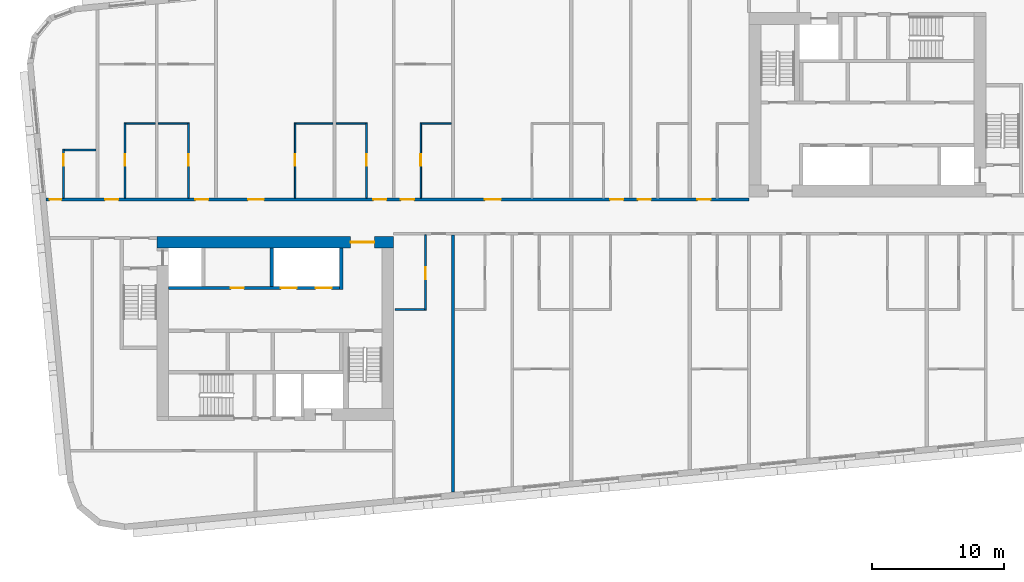
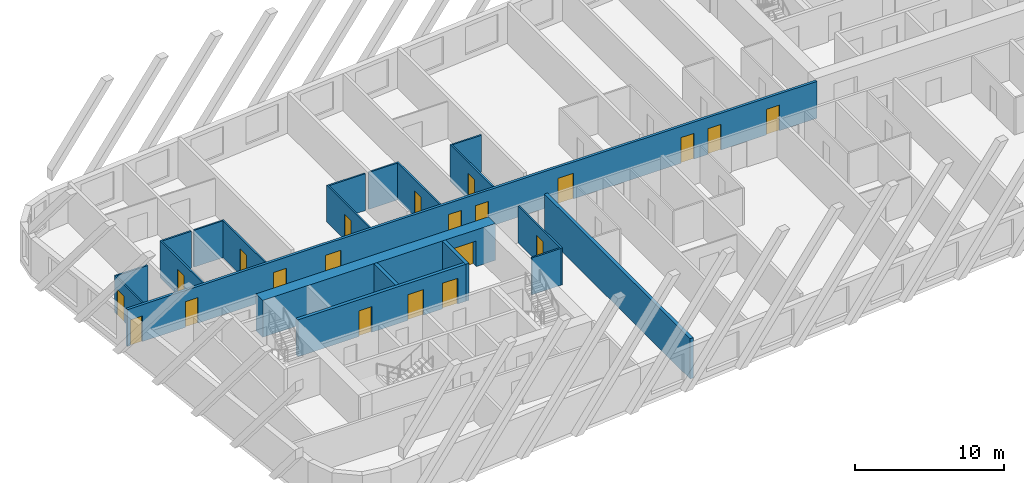
# One storey, part 3 of 13: 21 doors, 20 walls, 21 openings.
"""IFC4 building model written with IfcOpenShell, lengths in metres."""

import ifcopenshell
import ifcopenshell.guid

model = None  # the IFC model being written
_history = None  # IfcOwnerHistory: only IFC2X3 demands one
_inside = {}  # id of a spatial element -> (the spatial element, [elements in it])
_under = {}  # id of a project, library or spatial element -> (it, [spatial elements below it])
_declared = {}  # id of a project -> (the project, [libraries it declares])
_typed = {}  # id of a type object -> (the type object, [elements of that type])
_made_of = {}  # id of a material, layer set ... -> (it, [elements and type objects made of it])


def new_model(schema):
    """Start an empty IFC model of exactly this schema.

    Asked for "IFC4X3", IfcOpenShell would pick the latest addendum, in which some entities
    have other attributes; the version numbers below select the first issue.
    IFC2X3 requires an IfcOwnerHistory on every rooted entity: one is made here for all.
    """
    global model, _history
    if schema == "IFC4X3":
        model = ifcopenshell.file(schema_version=(4, 3, 0, 0))
    else:
        model = ifcopenshell.file(schema=schema)
    _inside.clear()
    _under.clear()
    _declared.clear()
    _typed.clear()
    _made_of.clear()
    _history = None
    if model.schema == "IFC2X3":
        org = make("IfcOrganization", Name="unknown")
        user = make(
            "IfcPersonAndOrganization",
            ThePerson=make("IfcPerson", FamilyName="unknown"),
            TheOrganization=org,
        )
        app = make(
            "IfcApplication",
            ApplicationDeveloper=org,
            Version="unknown",
            ApplicationFullName="unknown",
            ApplicationIdentifier="unknown",
        )
        _history = make(
            "IfcOwnerHistory",
            OwningUser=user,
            OwningApplication=app,
            ChangeAction="ADDED",
            CreationDate=0,
        )
    return model


def make(cls, **values):
    """One entity of the class cls with the attributes given. An attribute that is None is left unset."""
    return model.create_entity(
        cls, **{name: value for name, value in values.items() if value is not None}
    )


def rooted(cls, **values):
    """An entity with a GlobalId (a new one), such as an element, a storey or a relation."""
    return make(cls, GlobalId=ifcopenshell.guid.new(), OwnerHistory=_history, **values)


def si_unit(unit_type, name, prefix=None):
    """IfcSIUnit, for example si_unit("LENGTHUNIT", "METRE", prefix="MILLI")."""
    return make("IfcSIUnit", UnitType=unit_type, Prefix=prefix, Name=name)


def assignment(units):
    """IfcUnitAssignment: the units of a project."""
    return None if units is None else make("IfcUnitAssignment", Units=units)


def point(xyz):
    """IfcCartesianPoint."""
    return None if xyz is None else make("IfcCartesianPoint", Coordinates=xyz)


def direction(xyz):
    """IfcDirection."""
    return None if xyz is None else make("IfcDirection", DirectionRatios=xyz)


def frame(location, z_axis=None, x_axis=None):
    """IfcAxis2Placement3D, a coordinate frame: its origin and axes. An axis left out is left unset."""
    return make(
        "IfcAxis2Placement3D",
        Location=point(location),
        Axis=direction(z_axis),
        RefDirection=direction(x_axis),
    )


def frame_2d(location, x_axis=None):
    """IfcAxis2Placement2D, a coordinate frame in the plane: its origin and x axis."""
    return make(
        "IfcAxis2Placement2D", Location=point(location), RefDirection=direction(x_axis)
    )


def origin():
    """The frame at (0, 0, 0) with its axes left unset."""
    return frame((0.0, 0.0, 0.0))


def place(relative_to, where):
    """IfcLocalPlacement: puts the frame where relative to a parent placement (None: the world)."""
    return make(
        "IfcLocalPlacement", PlacementRelTo=relative_to, RelativePlacement=where
    )


def context(
    kind, dimensions, precision=None, world=None, true_north=None, identifier=None
):
    """IfcGeometricRepresentationContext, for example the 3D "Model" context."""
    return make(
        "IfcGeometricRepresentationContext",
        ContextIdentifier=identifier,
        ContextType=kind,
        CoordinateSpaceDimension=dimensions,
        Precision=precision,
        WorldCoordinateSystem=world,
        TrueNorth=true_north,
    )


def subcontext(parent, identifier, kind, view, scale=None):
    """IfcGeometricRepresentationSubContext, for example "Body" below "Model"."""
    return make(
        "IfcGeometricRepresentationSubContext",
        ContextIdentifier=identifier,
        ContextType=kind,
        ParentContext=parent,
        TargetScale=scale,
        TargetView=view,
    )


def project(units=None, contexts=None):
    """IfcProject with its units and contexts."""
    return rooted(
        "IfcProject",
        Name="project",
        RepresentationContexts=contexts,
        UnitsInContext=assignment(units),
    )


def spatial(cls, under=None, at=None, **own):
    """A site, building, storey or space (cls), placed at a placement, below another one or the project."""
    s = rooted(cls, ObjectPlacement=at, **own)
    if under is not None:
        _under.setdefault(under.id(), (under, []))[1].append(s)
    return s


def profile(cls, at=None, kind="AREA", **sizes):
    """A parametric profile (cls). Its sizes go by their IFC names, for example OverallWidth=200.0."""
    return make(cls, ProfileType=kind, Position=at, **sizes)


def rectangle(**sizes):
    """IfcRectangleProfileDef."""
    return profile("IfcRectangleProfileDef", **sizes)


def extrude(swept, where, along, depth):
    """IfcExtrudedAreaSolid: the profile swept, set in the frame where, extruded along a direction by depth."""
    return make(
        "IfcExtrudedAreaSolid",
        SweptArea=swept,
        Position=where,
        ExtrudedDirection=direction(along),
        Depth=depth,
    )


def shape(context_of_items, identifier, shape_type, items):
    """IfcShapeRepresentation: the items that make up one representation, for example the "Body"."""
    return make(
        "IfcShapeRepresentation",
        ContextOfItems=context_of_items,
        RepresentationIdentifier=identifier,
        RepresentationType=shape_type,
        Items=items,
    )


def material(Name=None, Category=None):
    """IfcMaterial."""
    return make("IfcMaterial", Name=Name, Category=Category)


def layer(
    of_material, thickness, ventilated=None, Name=None, Category=None, Priority=None
):
    """IfcMaterialLayer: one layer of a wall or slab, of a material (None: an air gap)."""
    return make(
        "IfcMaterialLayer",
        Material=of_material,
        LayerThickness=thickness,
        IsVentilated=ventilated,
        Name=Name,
        Category=Category,
        Priority=Priority,
    )


def layer_set(layers, Name=None):
    """IfcMaterialLayerSet."""
    return make("IfcMaterialLayerSet", MaterialLayers=layers, LayerSetName=Name)


def made_of(thing, what):
    """Note that an element or type object is made of a material, layer set ...; save() writes the relation."""
    if what is not None:
        _made_of.setdefault(what.id(), (what, []))[1].append(thing)
    return thing


def type_object(cls, material=None, **own):
    """A type object (cls), such as IfcWallType, which elements share."""
    return made_of(rooted(cls, **own), material)


def element(
    cls,
    number,
    at=None,
    inside=None,
    cuts=None,
    type_object=None,
    material=None,
    context=None,
    identifier="Body",
    shape_type=None,
    held_by="IfcProductDefinitionShape",
    body=None,
    shapes=None,
    **own,
):
    """One element of the class cls, such as IfcWall. Its Tag is "e" and its number.

    at: its placement. inside: the storey or other place that contains it. cuts: it is an
    opening in that element (IfcRelVoidsElement). A single representation is given by context,
    identifier, shape_type and body (its items); several are given by shapes. held_by: the class
    of the entity that holds the representations. save() writes the other relations.
    """
    e = rooted(cls, Tag="e%d" % number, ObjectPlacement=at, **own)
    if body is not None:
        shapes = [shape(context, identifier, shape_type, body)]
    if shapes is not None:
        e.Representation = make(held_by, Representations=shapes)
    if inside is not None:
        _inside.setdefault(inside.id(), (inside, []))[1].append(e)
    if cuts is not None:
        rooted(
            "IfcRelVoidsElement", RelatingBuildingElement=cuts, RelatedOpeningElement=e
        )
    if type_object is not None:
        _typed.setdefault(type_object.id(), (type_object, []))[1].append(e)
    return made_of(e, material)


def fill(opening, filler):
    """IfcRelFillsElement: the door or window that sits in an opening."""
    return rooted(
        "IfcRelFillsElement",
        RelatingOpeningElement=opening,
        RelatedBuildingElement=filler,
    )


def aggregate(whole, parts):
    """IfcRelAggregates: a whole, such as a stair, and the parts it consists of."""
    return rooted("IfcRelAggregates", RelatingObject=whole, RelatedObjects=parts)


def save(model, path):
    """Write the relations noted so far, then the file.

    IfcRelAggregates (storeys below a building ...), IfcRelContainedInSpatialStructure (elements
    in a storey), IfcRelDefinesByType, IfcRelAssociatesMaterial and IfcRelDeclares: one each for
    every whole, place, type object, material and project.
    """
    for whole, parts in _under.values():
        aggregate(whole, parts)
    for where, things in _inside.values():
        rooted(
            "IfcRelContainedInSpatialStructure",
            RelatedElements=things,
            RelatingStructure=where,
        )
    for kind, things in _typed.values():
        rooted("IfcRelDefinesByType", RelatedObjects=things, RelatingType=kind)
    for what, things in _made_of.values():
        rooted("IfcRelAssociatesMaterial", RelatedObjects=things, RelatingMaterial=what)
    for by, libraries in _declared.values():
        rooted("IfcRelDeclares", RelatingContext=by, RelatedDefinitions=libraries)
    model.write(path)


model = new_model("IFC4")

# Units and contexts
model_context = context("Model", 3, precision=1e-05, world=origin(), true_north=direction((0.0, 1.0)))
body_context = subcontext(model_context, "Body", "Model", "MODEL_VIEW")
ifc_project = project(units=[si_unit("LENGTHUNIT", "METRE"), si_unit("AREAUNIT", "SQUARE_METRE"), si_unit("VOLUMEUNIT", "CUBIC_METRE"), si_unit("PLANEANGLEUNIT", "RADIAN"), si_unit("MASSUNIT", "GRAM", prefix="KILO")], contexts=[model_context])

# Site, building, storey
site_placement = place(None, origin())
site = spatial("IfcSite", under=ifc_project, at=site_placement, CompositionType="ELEMENT")
building_placement = place(site_placement, origin())
building = spatial("IfcBuilding", under=site, at=building_placement, Name="Kajstack Hotel Tower", CompositionType="ELEMENT")
storey_placement = place(building_placement, frame((0.0, 0.0, 298.199951171875)))
storey = spatial("IfcBuildingStorey", under=building, at=storey_placement, Name="L75", CompositionType="ELEMENT", Elevation=298.199951171875)

# Wall, opening, door
ifc_material_1 = material(Name="Concrete C60/75", Category="concrete")
ifc_layer_1 = layer(ifc_material_1, 0.89990234375)
ifc_layer_set_1 = layer_set([ifc_layer_1], Name="Core wall 900")
wall_type_1 = type_object("IfcWallType", Name="Core wall 900", PredefinedType="SHEAR", material=ifc_layer_set_1)
wall_1_placement = place(storey_placement, frame((-31.5, -1.949951171875, 0.0), z_axis=(0.0, 0.0, 1.0), x_axis=(1.0, 0.0, 0.0)))
wall_1 = element("IfcWall", 1, at=wall_1_placement, inside=storey, type_object=wall_type_1, Name="Core wall W RN", PredefinedType="SHEAR", context=body_context, shape_type="SweptSolid", body=[
    extrude(rectangle(XDim=18.0, YDim=0.89990234375, at=frame_2d((9.0, 0.0))), origin(), (0.0, 0.0, 1.0), 3.02001953125),
])
opening_1_placement = place(wall_1_placement, frame((14.72509765625, 0.0, 0.0)))
opening_1 = element("IfcOpeningElement", 2, at=opening_1_placement, cuts=wall_1, Name="Opening 75W05", PredefinedType="OPENING", context=body_context, shape_type="SweptSolid", body=[
    extrude(rectangle(XDim=1.800048828125, YDim=2.10009765625, at=frame_2d((0.89990234375, 1.050048828125))), frame((0.0, 0.4599609375, 0.0), z_axis=(0.0, -1.0, 0.0), x_axis=(1.0, 0.0, 0.0)), (0.0, 0.0, 1.0), 0.919921875),
])
ifc_material_2 = material(Name="Glazed steel frame, fire-rated glass", Category="steel")
door_type_1 = type_object("IfcDoorType", Name="Lobby double door 1800", OperationType="DOUBLE_DOOR_DOUBLE_SWING", PredefinedType="DOOR", material=ifc_material_2)
door_1_placement = place(opening_1_placement, origin())
door_1 = element("IfcDoor", 3, at=door_1_placement, inside=storey, type_object=door_type_1, Name="Door 75W05", OperationType="DOUBLE_DOOR_DOUBLE_SWING", OverallHeight=2.10009765625, OverallWidth=1.800048828125, PredefinedType="DOOR", context=body_context, shape_type="SweptSolid", body=[
    extrude(rectangle(XDim=1.800048828125, YDim=2.10009765625, at=frame_2d((0.89990234375, 1.050048828125))), frame((0.0, 0.02490234375, 0.0), z_axis=(0.0, -1.0, 0.0), x_axis=(1.0, 0.0, 0.0)), (0.0, 0.0, 1.0), 0.050048828125),
])
fill(opening_1, door_1)

# Wall, openings, doors
ifc_material_3 = material(Name="Gypsum board on steel studs, mineral wool", Category="steel")
ifc_layer_2 = layer(ifc_material_3, 0.199951171875)
ifc_layer_set_2 = layer_set([ifc_layer_2], Name="Corridor wall 200")
wall_type_2 = type_object("IfcWallType", Name="Corridor wall 200", PredefinedType="PARTITIONING", material=ifc_layer_set_2)
wall_2_placement = place(storey_placement, frame((-39.908935546875, 1.300048828125, 0.0), z_axis=(0.0, 0.0, 1.0), x_axis=(1.0, 0.0, 0.0)))
wall_2 = element("IfcWall", 4, at=wall_2_placement, inside=storey, type_object=wall_type_2, Name="G-wall-L75-003", PredefinedType="PARTITIONING", context=body_context, shape_type="SweptSolid", body=[
    extrude(rectangle(XDim=53.408935546875, YDim=0.199951171875, at=frame_2d((26.70458984375, 0.0))), origin(), (0.0, 0.0, 1.0), 3.02001953125),
])
opening_2_placement = place(wall_2_placement, frame((0.2548828125, 0.0, 0.0)))
opening_2 = element("IfcOpeningElement", 5, at=opening_2_placement, cuts=wall_2, Name="Opening 75001", PredefinedType="OPENING", context=body_context, shape_type="SweptSolid", body=[
    extrude(rectangle(XDim=0.89990234375, YDim=2.10009765625, at=frame_2d((0.449951171875, 1.050048828125))), frame((0.0, 0.10986328125, 0.0), z_axis=(0.0, -1.0, 0.0), x_axis=(1.0, 0.0, 0.0)), (0.0, 0.0, 1.0), 0.219970703125),
])
opening_3_placement = place(wall_2_placement, frame((4.48388671875, 0.0, 0.0)))
opening_3 = element("IfcOpeningElement", 6, at=opening_3_placement, cuts=wall_2, Name="Opening 75003", PredefinedType="OPENING", context=body_context, shape_type="SweptSolid", body=[
    extrude(rectangle(XDim=1.0, YDim=2.10009765625, at=frame_2d((0.5, 1.050048828125))), frame((0.0, 0.10986328125, 0.0), z_axis=(0.0, -1.0, 0.0), x_axis=(1.0, 0.0, 0.0)), (0.0, 0.0, 1.0), 0.219970703125),
])
opening_4_placement = place(wall_2_placement, frame((11.333984375, 0.0, 0.0)))
opening_4 = element("IfcOpeningElement", 7, at=opening_4_placement, cuts=wall_2, Name="Opening 75006", PredefinedType="OPENING", context=body_context, shape_type="SweptSolid", body=[
    extrude(rectangle(XDim=1.0, YDim=2.10009765625, at=frame_2d((0.5, 1.050048828125))), frame((0.0, 0.10986328125, 0.0), z_axis=(0.0, -1.0, 0.0), x_axis=(1.0, 0.0, 0.0)), (0.0, 0.0, 1.0), 0.219970703125),
])
opening_5_placement = place(wall_2_placement, frame((15.346923828125, 0.0, 0.0)))
opening_5 = element("IfcOpeningElement", 8, at=opening_5_placement, cuts=wall_2, Name="Opening 75009", PredefinedType="OPENING", context=body_context, shape_type="SweptSolid", body=[
    extrude(rectangle(XDim=1.199951171875, YDim=2.10009765625, at=frame_2d((0.60009765625, 1.050048828125))), frame((0.0, 0.10986328125, 0.0), z_axis=(0.0, -1.0, 0.0), x_axis=(1.0, 0.0, 0.0)), (0.0, 0.0, 1.0), 0.219970703125),
])
opening_6_placement = place(wall_2_placement, frame((24.85888671875, 0.0, 0.0)))
opening_6 = element("IfcOpeningElement", 9, at=opening_6_placement, cuts=wall_2, Name="Opening 75011", PredefinedType="OPENING", context=body_context, shape_type="SweptSolid", body=[
    extrude(rectangle(XDim=1.0, YDim=2.10009765625, at=frame_2d((0.5, 1.050048828125))), frame((0.0, 0.10986328125, 0.0), z_axis=(0.0, -1.0, 0.0), x_axis=(1.0, 0.0, 0.0)), (0.0, 0.0, 1.0), 0.219970703125),
])
opening_7_placement = place(wall_2_placement, frame((26.958984375, 0.0, 0.0)))
opening_7 = element("IfcOpeningElement", 10, at=opening_7_placement, cuts=wall_2, Name="Opening 75013", PredefinedType="OPENING", context=body_context, shape_type="SweptSolid", body=[
    extrude(rectangle(XDim=1.0, YDim=2.10009765625, at=frame_2d((0.5, 1.050048828125))), frame((0.0, 0.10986328125, 0.0), z_axis=(0.0, -1.0, 0.0), x_axis=(1.0, 0.0, 0.0)), (0.0, 0.0, 1.0), 0.219970703125),
])
opening_8_placement = place(wall_2_placement, frame((33.345947265625, 0.0, 0.0)))
opening_8 = element("IfcOpeningElement", 11, at=opening_8_placement, cuts=wall_2, Name="Opening 75016", PredefinedType="OPENING", context=body_context, shape_type="SweptSolid", body=[
    extrude(rectangle(XDim=1.199951171875, YDim=2.10009765625, at=frame_2d((0.60009765625, 1.050048828125))), frame((0.0, 0.10986328125, 0.0), z_axis=(0.0, -1.0, 0.0), x_axis=(1.0, 0.0, 0.0)), (0.0, 0.0, 1.0), 0.219970703125),
])
opening_9_placement = place(wall_2_placement, frame((42.85888671875, 0.0, 0.0)))
opening_9 = element("IfcOpeningElement", 12, at=opening_9_placement, cuts=wall_2, Name="Opening 75018", PredefinedType="OPENING", context=body_context, shape_type="SweptSolid", body=[
    extrude(rectangle(XDim=1.0, YDim=2.10009765625, at=frame_2d((0.5, 1.050048828125))), frame((0.0, 0.10986328125, 0.0), z_axis=(0.0, -1.0, 0.0), x_axis=(1.0, 0.0, 0.0)), (0.0, 0.0, 1.0), 0.219970703125),
])
opening_10_placement = place(wall_2_placement, frame((44.958984375, 0.0, 0.0)))
opening_10 = element("IfcOpeningElement", 13, at=opening_10_placement, cuts=wall_2, Name="Opening 75020", PredefinedType="OPENING", context=body_context, shape_type="SweptSolid", body=[
    extrude(rectangle(XDim=1.0, YDim=2.10009765625, at=frame_2d((0.5, 1.050048828125))), frame((0.0, 0.10986328125, 0.0), z_axis=(0.0, -1.0, 0.0), x_axis=(1.0, 0.0, 0.0)), (0.0, 0.0, 1.0), 0.219970703125),
])
opening_11_placement = place(wall_2_placement, frame((49.48388671875, 0.0, 0.0)))
opening_11 = element("IfcOpeningElement", 14, at=opening_11_placement, cuts=wall_2, Name="Opening 75022", PredefinedType="OPENING", context=body_context, shape_type="SweptSolid", body=[
    extrude(rectangle(XDim=1.0, YDim=2.10009765625, at=frame_2d((0.5, 1.050048828125))), frame((0.0, 0.10986328125, 0.0), z_axis=(0.0, -1.0, 0.0), x_axis=(1.0, 0.0, 0.0)), (0.0, 0.0, 1.0), 0.219970703125),
])
ifc_material_4 = material(Name="Oak veneer on timber core, fire-rated leaf", Category="wood")
door_type_2 = type_object("IfcDoorType", Name="Flat entrance door 1000", OperationType="SINGLE_SWING_LEFT", PredefinedType="DOOR", material=ifc_material_4)
door_2_placement = place(opening_3_placement, origin())
door_2 = element("IfcDoor", 15, at=door_2_placement, inside=storey, type_object=door_type_2, Name="G-door-L75-03", OperationType="SINGLE_SWING_LEFT", OverallHeight=2.10009765625, OverallWidth=1.0, PredefinedType="DOOR", context=body_context, shape_type="SweptSolid", body=[
    extrude(rectangle(XDim=1.0, YDim=2.10009765625, at=frame_2d((0.5, 1.050048828125))), frame((0.0, 0.02490234375, 0.0), z_axis=(0.0, -1.0, 0.0), x_axis=(1.0, 0.0, 0.0)), (0.0, 0.0, 1.0), 0.050048828125),
])
fill(opening_3, door_2)
door_3_placement = place(opening_4_placement, origin())
door_3 = element("IfcDoor", 16, at=door_3_placement, inside=storey, type_object=door_type_2, Name="G-door-L75-06", OperationType="SINGLE_SWING_RIGHT", OverallHeight=2.10009765625, OverallWidth=1.0, PredefinedType="DOOR", context=body_context, shape_type="SweptSolid", body=[
    extrude(rectangle(XDim=1.0, YDim=2.10009765625, at=frame_2d((0.5, 1.050048828125))), frame((0.0, 0.02490234375, 0.0), z_axis=(0.0, -1.0, 0.0), x_axis=(1.0, 0.0, 0.0)), (0.0, 0.0, 1.0), 0.050048828125),
])
fill(opening_4, door_3)
door_4_placement = place(opening_6_placement, origin())
door_4 = element("IfcDoor", 17, at=door_4_placement, inside=storey, type_object=door_type_2, Name="G-door-L75-11", OperationType="SINGLE_SWING_RIGHT", OverallHeight=2.10009765625, OverallWidth=1.0, PredefinedType="DOOR", context=body_context, shape_type="SweptSolid", body=[
    extrude(rectangle(XDim=1.0, YDim=2.10009765625, at=frame_2d((0.5, 1.050048828125))), frame((0.0, 0.02490234375, 0.0), z_axis=(0.0, -1.0, 0.0), x_axis=(1.0, 0.0, 0.0)), (0.0, 0.0, 1.0), 0.050048828125),
])
fill(opening_6, door_4)
door_5_placement = place(opening_7_placement, origin())
door_5 = element("IfcDoor", 18, at=door_5_placement, inside=storey, type_object=door_type_2, Name="G-door-L75-13", OperationType="SINGLE_SWING_RIGHT", OverallHeight=2.10009765625, OverallWidth=1.0, PredefinedType="DOOR", context=body_context, shape_type="SweptSolid", body=[
    extrude(rectangle(XDim=1.0, YDim=2.10009765625, at=frame_2d((0.5, 1.050048828125))), frame((0.0, 0.02490234375, 0.0), z_axis=(0.0, -1.0, 0.0), x_axis=(1.0, 0.0, 0.0)), (0.0, 0.0, 1.0), 0.050048828125),
])
fill(opening_7, door_5)
door_6_placement = place(opening_9_placement, origin())
door_6 = element("IfcDoor", 19, at=door_6_placement, inside=storey, type_object=door_type_2, Name="G-door-L75-18", OperationType="SINGLE_SWING_RIGHT", OverallHeight=2.10009765625, OverallWidth=1.0, PredefinedType="DOOR", context=body_context, shape_type="SweptSolid", body=[
    extrude(rectangle(XDim=1.0, YDim=2.10009765625, at=frame_2d((0.5, 1.050048828125))), frame((0.0, 0.02490234375, 0.0), z_axis=(0.0, -1.0, 0.0), x_axis=(1.0, 0.0, 0.0)), (0.0, 0.0, 1.0), 0.050048828125),
])
fill(opening_9, door_6)
door_7_placement = place(opening_10_placement, origin())
door_7 = element("IfcDoor", 20, at=door_7_placement, inside=storey, type_object=door_type_2, Name="G-door-L75-20", OperationType="SINGLE_SWING_LEFT", OverallHeight=2.10009765625, OverallWidth=1.0, PredefinedType="DOOR", context=body_context, shape_type="SweptSolid", body=[
    extrude(rectangle(XDim=1.0, YDim=2.10009765625, at=frame_2d((0.5, 1.050048828125))), frame((0.0, 0.02490234375, 0.0), z_axis=(0.0, -1.0, 0.0), x_axis=(1.0, 0.0, 0.0)), (0.0, 0.0, 1.0), 0.050048828125),
])
fill(opening_10, door_7)
door_8_placement = place(opening_11_placement, origin())
door_8 = element("IfcDoor", 21, at=door_8_placement, inside=storey, type_object=door_type_2, Name="G-door-L75-22", OperationType="SINGLE_SWING_LEFT", OverallHeight=2.10009765625, OverallWidth=1.0, PredefinedType="DOOR", context=body_context, shape_type="SweptSolid", body=[
    extrude(rectangle(XDim=1.0, YDim=2.10009765625, at=frame_2d((0.5, 1.050048828125))), frame((0.0, 0.02490234375, 0.0), z_axis=(0.0, -1.0, 0.0), x_axis=(1.0, 0.0, 0.0)), (0.0, 0.0, 1.0), 0.050048828125),
])
fill(opening_11, door_8)
door_type_3 = type_object("IfcDoorType", Name="Flat entrance door 1200", OperationType="SINGLE_SWING_LEFT", PredefinedType="DOOR", material=ifc_material_4)
door_9_placement = place(opening_5_placement, origin())
door_9 = element("IfcDoor", 22, at=door_9_placement, inside=storey, type_object=door_type_3, Name="G-door-L75-09", OperationType="SINGLE_SWING_RIGHT", OverallHeight=2.10009765625, OverallWidth=1.199951171875, PredefinedType="DOOR", context=body_context, shape_type="SweptSolid", body=[
    extrude(rectangle(XDim=1.199951171875, YDim=2.10009765625, at=frame_2d((0.60009765625, 1.050048828125))), frame((0.0, 0.02490234375, 0.0), z_axis=(0.0, -1.0, 0.0), x_axis=(1.0, 0.0, 0.0)), (0.0, 0.0, 1.0), 0.050048828125),
])
fill(opening_5, door_9)
door_10_placement = place(opening_8_placement, origin())
door_10 = element("IfcDoor", 23, at=door_10_placement, inside=storey, type_object=door_type_3, Name="G-door-L75-16", OperationType="SINGLE_SWING_LEFT", OverallHeight=2.10009765625, OverallWidth=1.199951171875, PredefinedType="DOOR", context=body_context, shape_type="SweptSolid", body=[
    extrude(rectangle(XDim=1.199951171875, YDim=2.10009765625, at=frame_2d((0.60009765625, 1.050048828125))), frame((0.0, 0.02490234375, 0.0), z_axis=(0.0, -1.0, 0.0), x_axis=(1.0, 0.0, 0.0)), (0.0, 0.0, 1.0), 0.050048828125),
])
fill(opening_8, door_10)
ifc_material_5 = material(Name="Painted timber door leaf", Category="wood")
door_type_4 = type_object("IfcDoorType", Name="Room door 900", OperationType="SINGLE_SWING_LEFT", PredefinedType="DOOR", material=ifc_material_5)
door_11_placement = place(opening_2_placement, origin())
door_11 = element("IfcDoor", 24, at=door_11_placement, inside=storey, type_object=door_type_4, Name="G-door-L75-01", OperationType="SINGLE_SWING_RIGHT", OverallHeight=2.10009765625, OverallWidth=0.89990234375, PredefinedType="DOOR", context=body_context, shape_type="SweptSolid", body=[
    extrude(rectangle(XDim=0.89990234375, YDim=2.10009765625, at=frame_2d((0.449951171875, 1.050048828125))), frame((0.0, 0.02490234375, 0.0), z_axis=(0.0, -1.0, 0.0), x_axis=(1.0, 0.0, 0.0)), (0.0, 0.0, 1.0), 0.050048828125),
])
fill(opening_2, door_11)

# Wall, opening, door
ifc_material_6 = material(Name="Gypsum board and tiled backer on steel studs", Category="steel")
ifc_layer_3 = layer(ifc_material_6, 0.125)
ifc_layer_set_3 = layer_set([ifc_layer_3], Name="En-suite wall 125")
wall_type_3 = type_object("IfcWallType", Name="En-suite wall 125", PredefinedType="PARTITIONING", material=ifc_layer_set_3)
wall_3_placement = place(storey_placement, frame((-38.5869140625, 1.39990234375, 0.0), z_axis=(0.0, 0.0, 1.0), x_axis=(0.0, 1.0, 0.0)))
wall_3 = element("IfcWall", 25, at=wall_3_placement, inside=storey, type_object=wall_type_3, Name="G-wall-L75-004", PredefinedType="PARTITIONING", context=body_context, shape_type="SweptSolid", body=[
    extrude(rectangle(XDim=3.72509765625, YDim=0.125, at=frame_2d((1.862548828125, 0.0))), origin(), (0.0, 0.0, 1.0), 3.02001953125),
])
opening_12_placement = place(wall_3_placement, frame((2.449951171875, 0.0, 0.0)))
opening_12 = element("IfcOpeningElement", 26, at=opening_12_placement, cuts=wall_3, Name="Opening 75002", PredefinedType="OPENING", context=body_context, shape_type="SweptSolid", body=[
    extrude(rectangle(XDim=0.89990234375, YDim=2.10009765625, at=frame_2d((0.449951171875, 1.050048828125))), frame((0.0, 0.072509765625, 0.0), z_axis=(0.0, -1.0, 0.0), x_axis=(1.0, 0.0, 0.0)), (0.0, 0.0, 1.0), 0.14501953125),
])
door_12_placement = place(opening_12_placement, origin())
door_12 = element("IfcDoor", 27, at=door_12_placement, inside=storey, type_object=door_type_4, Name="G-door-L75-02", OperationType="SINGLE_SWING_RIGHT", OverallHeight=2.10009765625, OverallWidth=0.89990234375, PredefinedType="DOOR", context=body_context, shape_type="SweptSolid", body=[
    extrude(rectangle(XDim=0.89990234375, YDim=2.10009765625, at=frame_2d((0.449951171875, 1.050048828125))), frame((0.0, 0.02490234375, 0.0), z_axis=(0.0, -1.0, 0.0), x_axis=(1.0, 0.0, 0.0)), (0.0, 0.0, 1.0), 0.050048828125),
])
fill(opening_12, door_12)

# Wall
wall_4_placement = place(storey_placement, frame((-38.52490234375, 5.06201171875, 0.0), z_axis=(0.0, 0.0, 1.0), x_axis=(1.0, 0.0, 0.0)))
element("IfcWall", 28, at=wall_4_placement, inside=storey, type_object=wall_type_3, Name="G-wall-L75-005", PredefinedType="PARTITIONING", context=body_context, shape_type="SweptSolid", body=[
    extrude(rectangle(XDim=2.39990234375, YDim=0.125, at=frame_2d((1.199951171875, 0.0))), origin(), (0.0, 0.0, 1.0), 3.02001953125),
])

# Wall, opening, door
wall_5_placement = place(storey_placement, frame((-33.9130859375, 1.39990234375, 0.0), z_axis=(0.0, 0.0, 1.0), x_axis=(0.0, 1.0, 0.0)))
wall_5 = element("IfcWall", 29, at=wall_5_placement, inside=storey, type_object=wall_type_3, Name="G-wall-L75-007", PredefinedType="PARTITIONING", context=body_context, shape_type="SweptSolid", body=[
    extrude(rectangle(XDim=5.72509765625, YDim=0.125, at=frame_2d((2.862548828125, 0.0))), origin(), (0.0, 0.0, 1.0), 3.02001953125),
])
opening_13_placement = place(wall_5_placement, frame((2.449951171875, 0.0, 0.0)))
opening_13 = element("IfcOpeningElement", 30, at=opening_13_placement, cuts=wall_5, Name="Opening 75004", PredefinedType="OPENING", context=body_context, shape_type="SweptSolid", body=[
    extrude(rectangle(XDim=0.89990234375, YDim=2.10009765625, at=frame_2d((0.449951171875, 1.050048828125))), frame((0.0, 0.072509765625, 0.0), z_axis=(0.0, -1.0, 0.0), x_axis=(1.0, 0.0, 0.0)), (0.0, 0.0, 1.0), 0.14501953125),
])
door_13_placement = place(opening_13_placement, origin())
door_13 = element("IfcDoor", 31, at=door_13_placement, inside=storey, type_object=door_type_4, Name="G-door-L75-04", OperationType="SINGLE_SWING_RIGHT", OverallHeight=2.10009765625, OverallWidth=0.89990234375, PredefinedType="DOOR", context=body_context, shape_type="SweptSolid", body=[
    extrude(rectangle(XDim=0.89990234375, YDim=2.10009765625, at=frame_2d((0.449951171875, 1.050048828125))), frame((0.0, 0.02490234375, 0.0), z_axis=(0.0, -1.0, 0.0), x_axis=(1.0, 0.0, 0.0)), (0.0, 0.0, 1.0), 0.050048828125),
])
fill(opening_13, door_13)

# Wall
wall_6_placement = place(storey_placement, frame((-33.85009765625, 7.06201171875, 0.0), z_axis=(0.0, 0.0, 1.0), x_axis=(1.0, 0.0, 0.0)))
element("IfcWall", 32, at=wall_6_placement, inside=storey, type_object=wall_type_3, Name="G-wall-L75-008", PredefinedType="PARTITIONING", context=body_context, shape_type="SweptSolid", body=[
    extrude(rectangle(XDim=2.25, YDim=0.125, at=frame_2d((1.125, 0.0))), origin(), (0.0, 0.0, 1.0), 3.02001953125),
])

# Wall, opening, door
wall_7_placement = place(storey_placement, frame((-29.0869140625, 1.39990234375, 0.0), z_axis=(0.0, 0.0, 1.0), x_axis=(0.0, 1.0, 0.0)))
wall_7 = element("IfcWall", 33, at=wall_7_placement, inside=storey, type_object=wall_type_3, Name="G-wall-L75-010", PredefinedType="PARTITIONING", context=body_context, shape_type="SweptSolid", body=[
    extrude(rectangle(XDim=5.72509765625, YDim=0.125, at=frame_2d((2.862548828125, 0.0))), origin(), (0.0, 0.0, 1.0), 3.02001953125),
])
opening_14_placement = place(wall_7_placement, frame((2.449951171875, 0.0, 0.0)))
opening_14 = element("IfcOpeningElement", 34, at=opening_14_placement, cuts=wall_7, Name="Opening 75007", PredefinedType="OPENING", context=body_context, shape_type="SweptSolid", body=[
    extrude(rectangle(XDim=0.89990234375, YDim=2.10009765625, at=frame_2d((0.449951171875, 1.050048828125))), frame((0.0, 0.072509765625, 0.0), z_axis=(0.0, -1.0, 0.0), x_axis=(1.0, 0.0, 0.0)), (0.0, 0.0, 1.0), 0.14501953125),
])
door_14_placement = place(opening_14_placement, origin())
door_14 = element("IfcDoor", 35, at=door_14_placement, inside=storey, type_object=door_type_4, Name="G-door-L75-07", OperationType="SINGLE_SWING_RIGHT", OverallHeight=2.10009765625, OverallWidth=0.89990234375, PredefinedType="DOOR", context=body_context, shape_type="SweptSolid", body=[
    extrude(rectangle(XDim=0.89990234375, YDim=2.10009765625, at=frame_2d((0.449951171875, 1.050048828125))), frame((0.0, 0.02490234375, 0.0), z_axis=(0.0, -1.0, 0.0), x_axis=(1.0, 0.0, 0.0)), (0.0, 0.0, 1.0), 0.050048828125),
])
fill(opening_14, door_14)

# Wall
wall_8_placement = place(storey_placement, frame((-31.39990234375, 7.06201171875, 0.0), z_axis=(0.0, 0.0, 1.0), x_axis=(1.0, 0.0, 0.0)))
element("IfcWall", 36, at=wall_8_placement, inside=storey, type_object=wall_type_3, Name="G-wall-L75-011", PredefinedType="PARTITIONING", context=body_context, shape_type="SweptSolid", body=[
    extrude(rectangle(XDim=2.25, YDim=0.125, at=frame_2d((1.125, 0.0))), origin(), (0.0, 0.0, 1.0), 3.02001953125),
])

# Wall, opening, door
wall_9_placement = place(storey_placement, frame((-20.988037109375, 1.39990234375, 0.0), z_axis=(0.0, 0.0, 1.0), x_axis=(0.0, 1.0, 0.0)))
wall_9 = element("IfcWall", 37, at=wall_9_placement, inside=storey, type_object=wall_type_3, Name="G-wall-L75-013", PredefinedType="PARTITIONING", context=body_context, shape_type="SweptSolid", body=[
    extrude(rectangle(XDim=5.72509765625, YDim=0.125, at=frame_2d((2.862548828125, 0.0))), origin(), (0.0, 0.0, 1.0), 3.02001953125),
])
opening_15_placement = place(wall_9_placement, frame((2.449951171875, 0.0, 0.0)))
opening_15 = element("IfcOpeningElement", 38, at=opening_15_placement, cuts=wall_9, Name="Opening 75010", PredefinedType="OPENING", context=body_context, shape_type="SweptSolid", body=[
    extrude(rectangle(XDim=0.89990234375, YDim=2.10009765625, at=frame_2d((0.449951171875, 1.050048828125))), frame((0.0, 0.072509765625, 0.0), z_axis=(0.0, -1.0, 0.0), x_axis=(1.0, 0.0, 0.0)), (0.0, 0.0, 1.0), 0.14501953125),
])
door_15_placement = place(opening_15_placement, origin())
door_15 = element("IfcDoor", 39, at=door_15_placement, inside=storey, type_object=door_type_4, Name="G-door-L75-10", OperationType="SINGLE_SWING_RIGHT", OverallHeight=2.10009765625, OverallWidth=0.89990234375, PredefinedType="DOOR", context=body_context, shape_type="SweptSolid", body=[
    extrude(rectangle(XDim=0.89990234375, YDim=2.10009765625, at=frame_2d((0.449951171875, 1.050048828125))), frame((0.0, 0.02490234375, 0.0), z_axis=(0.0, -1.0, 0.0), x_axis=(1.0, 0.0, 0.0)), (0.0, 0.0, 1.0), 0.050048828125),
])
fill(opening_15, door_15)

# Wall
wall_10_placement = place(storey_placement, frame((-20.925048828125, 7.06201171875, 0.0), z_axis=(0.0, 0.0, 1.0), x_axis=(1.0, 0.0, 0.0)))
element("IfcWall", 40, at=wall_10_placement, inside=storey, type_object=wall_type_3, Name="G-wall-L75-014", PredefinedType="PARTITIONING", context=body_context, shape_type="SweptSolid", body=[
    extrude(rectangle(XDim=2.800048828125, YDim=0.125, at=frame_2d((1.39990234375, 0.0))), origin(), (0.0, 0.0, 1.0), 3.02001953125),
])

# Wall, opening, door
wall_11_placement = place(storey_placement, frame((-15.56201171875, 1.39990234375, 0.0), z_axis=(0.0, 0.0, 1.0), x_axis=(0.0, 1.0, 0.0)))
wall_11 = element("IfcWall", 41, at=wall_11_placement, inside=storey, type_object=wall_type_3, Name="G-wall-L75-016", PredefinedType="PARTITIONING", context=body_context, shape_type="SweptSolid", body=[
    extrude(rectangle(XDim=5.72509765625, YDim=0.125, at=frame_2d((2.862548828125, 0.0))), origin(), (0.0, 0.0, 1.0), 3.02001953125),
])
opening_16_placement = place(wall_11_placement, frame((2.449951171875, 0.0, 0.0)))
opening_16 = element("IfcOpeningElement", 42, at=opening_16_placement, cuts=wall_11, Name="Opening 75012", PredefinedType="OPENING", context=body_context, shape_type="SweptSolid", body=[
    extrude(rectangle(XDim=0.89990234375, YDim=2.10009765625, at=frame_2d((0.449951171875, 1.050048828125))), frame((0.0, 0.072509765625, 0.0), z_axis=(0.0, -1.0, 0.0), x_axis=(1.0, 0.0, 0.0)), (0.0, 0.0, 1.0), 0.14501953125),
])
door_16_placement = place(opening_16_placement, origin())
door_16 = element("IfcDoor", 43, at=door_16_placement, inside=storey, type_object=door_type_4, Name="G-door-L75-12", OperationType="SINGLE_SWING_RIGHT", OverallHeight=2.10009765625, OverallWidth=0.89990234375, PredefinedType="DOOR", context=body_context, shape_type="SweptSolid", body=[
    extrude(rectangle(XDim=0.89990234375, YDim=2.10009765625, at=frame_2d((0.449951171875, 1.050048828125))), frame((0.0, 0.02490234375, 0.0), z_axis=(0.0, -1.0, 0.0), x_axis=(1.0, 0.0, 0.0)), (0.0, 0.0, 1.0), 0.050048828125),
])
fill(opening_16, door_16)

# Wall
wall_12_placement = place(storey_placement, frame((-17.875, 7.06201171875, 0.0), z_axis=(0.0, 0.0, 1.0), x_axis=(1.0, 0.0, 0.0)))
element("IfcWall", 44, at=wall_12_placement, inside=storey, type_object=wall_type_3, Name="G-wall-L75-017", PredefinedType="PARTITIONING", context=body_context, shape_type="SweptSolid", body=[
    extrude(rectangle(XDim=2.25, YDim=0.125, at=frame_2d((1.125, 0.0))), origin(), (0.0, 0.0, 1.0), 3.02001953125),
])

# Wall, opening, door
wall_13_placement = place(storey_placement, frame((-11.43798828125, 1.39990234375, 0.0), z_axis=(0.0, 0.0, 1.0), x_axis=(0.0, 1.0, 0.0)))
wall_13 = element("IfcWall", 45, at=wall_13_placement, inside=storey, type_object=wall_type_3, Name="G-wall-L75-018", PredefinedType="PARTITIONING", context=body_context, shape_type="SweptSolid", body=[
    extrude(rectangle(XDim=5.72509765625, YDim=0.125, at=frame_2d((2.862548828125, 0.0))), origin(), (0.0, 0.0, 1.0), 3.02001953125),
])
opening_17_placement = place(wall_13_placement, frame((2.449951171875, 0.0, 0.0)))
opening_17 = element("IfcOpeningElement", 46, at=opening_17_placement, cuts=wall_13, Name="Opening 75014", PredefinedType="OPENING", context=body_context, shape_type="SweptSolid", body=[
    extrude(rectangle(XDim=0.89990234375, YDim=2.10009765625, at=frame_2d((0.449951171875, 1.050048828125))), frame((0.0, 0.072509765625, 0.0), z_axis=(0.0, -1.0, 0.0), x_axis=(1.0, 0.0, 0.0)), (0.0, 0.0, 1.0), 0.14501953125),
])
door_17_placement = place(opening_17_placement, origin())
door_17 = element("IfcDoor", 47, at=door_17_placement, inside=storey, type_object=door_type_4, Name="G-door-L75-14", OperationType="SINGLE_SWING_LEFT", OverallHeight=2.10009765625, OverallWidth=0.89990234375, PredefinedType="DOOR", context=body_context, shape_type="SweptSolid", body=[
    extrude(rectangle(XDim=0.89990234375, YDim=2.10009765625, at=frame_2d((0.449951171875, 1.050048828125))), frame((0.0, 0.02490234375, 0.0), z_axis=(0.0, -1.0, 0.0), x_axis=(1.0, 0.0, 0.0)), (0.0, 0.0, 1.0), 0.050048828125),
])
fill(opening_17, door_17)

# Wall
wall_14_placement = place(storey_placement, frame((-11.375, 7.06201171875, 0.0), z_axis=(0.0, 0.0, 1.0), x_axis=(1.0, 0.0, 0.0)))
element("IfcWall", 48, at=wall_14_placement, inside=storey, type_object=wall_type_3, Name="G-wall-L75-019", PredefinedType="PARTITIONING", context=body_context, shape_type="SweptSolid", body=[
    extrude(rectangle(XDim=2.25, YDim=0.125, at=frame_2d((1.125, 0.0))), origin(), (0.0, 0.0, 1.0), 3.02001953125),
])

# Wall, opening, door
wall_15_placement = place(storey_placement, frame((-11.087890625, -7.125, 0.0), z_axis=(0.0, 0.0, 1.0), x_axis=(0.0, 1.0, 0.0)))
wall_15 = element("IfcWall", 49, at=wall_15_placement, inside=storey, type_object=wall_type_3, Name="G-wall-L75-031", PredefinedType="PARTITIONING", context=body_context, shape_type="SweptSolid", body=[
    extrude(rectangle(XDim=5.72509765625, YDim=0.125, at=frame_2d((2.862548828125, 0.0))), origin(), (0.0, 0.0, 1.0), 3.02001953125),
])
opening_18_placement = place(wall_15_placement, frame((2.375, 0.0, 0.0)))
opening_18 = element("IfcOpeningElement", 50, at=opening_18_placement, cuts=wall_15, Name="Opening 75025", PredefinedType="OPENING", context=body_context, shape_type="SweptSolid", body=[
    extrude(rectangle(XDim=0.89990234375, YDim=2.10009765625, at=frame_2d((0.449951171875, 1.050048828125))), frame((0.0, 0.072509765625, 0.0), z_axis=(0.0, -1.0, 0.0), x_axis=(1.0, 0.0, 0.0)), (0.0, 0.0, 1.0), 0.14501953125),
])
door_18_placement = place(opening_18_placement, origin())
door_18 = element("IfcDoor", 51, at=door_18_placement, inside=storey, type_object=door_type_4, Name="G-door-L75-25", OperationType="SINGLE_SWING_RIGHT", OverallHeight=2.10009765625, OverallWidth=0.89990234375, PredefinedType="DOOR", context=body_context, shape_type="SweptSolid", body=[
    extrude(rectangle(XDim=0.89990234375, YDim=2.10009765625, at=frame_2d((0.449951171875, 1.050048828125))), frame((0.0, 0.02490234375, 0.0), z_axis=(0.0, -1.0, 0.0), x_axis=(1.0, 0.0, 0.0)), (0.0, 0.0, 1.0), 0.050048828125),
])
fill(opening_18, door_18)

# Walls
wall_16_placement = place(storey_placement, frame((-13.39990234375, -7.06201171875, 0.0), z_axis=(0.0, 0.0, 1.0), x_axis=(1.0, 0.0, 0.0)))
element("IfcWall", 52, at=wall_16_placement, inside=storey, type_object=wall_type_3, Name="G-wall-L75-032", PredefinedType="PARTITIONING", context=body_context, shape_type="SweptSolid", body=[
    extrude(rectangle(XDim=2.25, YDim=0.125, at=frame_2d((1.125, 0.0))), origin(), (0.0, 0.0, 1.0), 3.02001953125),
])
ifc_material_7 = material(Name="Concrete C50/60", Category="concrete")
ifc_layer_4 = layer(ifc_material_7, 0.300048828125)
ifc_layer_set_4 = layer_set([ifc_layer_4], Name="Hoistway divider wall 300")
wall_type_4 = type_object("IfcWallType", Name="Hoistway divider wall 300", PredefinedType="SHEAR", material=ifc_layer_set_4)
wall_17_placement = place(storey_placement, frame((-22.77490234375, -5.300048828125, 0.0), z_axis=(0.0, 0.0, 1.0), x_axis=(0.0, 1.0, 0.0)))
element("IfcWall", 53, at=wall_17_placement, inside=storey, type_object=wall_type_4, Name="Core wall W AP2", PredefinedType="SHEAR", context=body_context, shape_type="SweptSolid", body=[
    extrude(rectangle(XDim=2.900146484375, YDim=0.25, at=frame_2d((1.4501953125, 0.0))), origin(), (0.0, 0.0, 1.0), 3.02001953125),
])
ifc_material_8 = material(Name="Concrete C40/50", Category="concrete")
ifc_layer_5 = layer(ifc_material_8, 0.25)
ifc_layer_set_5 = layer_set([ifc_layer_5], Name="RC cross wall 250 C40/50")
wall_type_5 = type_object("IfcWallType", Name="RC cross wall 250 C40/50", PredefinedType="SHEAR", material=ifc_layer_set_5)
wall_18_placement = place(storey_placement, frame((-9.0, -20.9404296875, 0.0), z_axis=(0.0, 0.0, 1.0), x_axis=(0.0, 1.0, 0.0)))
element("IfcWall", 54, at=wall_18_placement, inside=storey, type_object=wall_type_5, Name="S-wall-L75-04", PredefinedType="SHEAR", context=body_context, shape_type="SweptSolid", body=[
    extrude(rectangle(XDim=19.54052734375, YDim=0.25, at=frame_2d((9.770263671875, 0.0))), origin(), (0.0, 0.0, 1.0), 3.300048828125),
])

# Wall, openings, doors
ifc_layer_6 = layer(ifc_material_7, 0.25)
ifc_layer_set_6 = layer_set([ifc_layer_6], Name="Shaft wall 250")
wall_type_6 = type_object("IfcWallType", Name="Shaft wall 250", PredefinedType="SHEAR", material=ifc_layer_set_6)
wall_19_placement = place(storey_placement, frame((-30.60009765625, -5.425048828125, 0.0), z_axis=(0.0, 0.0, 1.0), x_axis=(1.0, 0.0, 0.0)))
wall_19 = element("IfcWall", 55, at=wall_19_placement, inside=storey, type_object=wall_type_6, Name="Core wall W FA", PredefinedType="SHEAR", context=body_context, shape_type="SweptSolid", body=[
    extrude(rectangle(XDim=13.0, YDim=0.25, at=frame_2d((6.5, 0.0))), origin(), (0.0, 0.0, 1.0), 3.02001953125),
])
opening_19_placement = place(wall_19_placement, frame((8.52490234375, 0.0, 0.0)))
opening_19 = element("IfcOpeningElement", 56, at=opening_19_placement, cuts=wall_19, Name="Opening LD-HR1", PredefinedType="OPENING", context=body_context, shape_type="SweptSolid", body=[
    extrude(rectangle(XDim=1.199951171875, YDim=2.10009765625, at=frame_2d((0.60009765625, 1.050048828125))), frame((0.0, 0.135009765625, 0.0), z_axis=(0.0, -1.0, 0.0), x_axis=(1.0, 0.0, 0.0)), (0.0, 0.0, 1.0), 0.27001953125),
])
opening_20_placement = place(wall_19_placement, frame((11.175048828125, 0.0, 0.0)))
opening_20 = element("IfcOpeningElement", 57, at=opening_20_placement, cuts=wall_19, Name="Opening LD-HR2", PredefinedType="OPENING", context=body_context, shape_type="SweptSolid", body=[
    extrude(rectangle(XDim=1.199951171875, YDim=2.10009765625, at=frame_2d((0.60009765625, 1.050048828125))), frame((0.0, 0.135009765625, 0.0), z_axis=(0.0, -1.0, 0.0), x_axis=(1.0, 0.0, 0.0)), (0.0, 0.0, 1.0), 0.27001953125),
])
opening_21_placement = place(wall_19_placement, frame((4.72509765625, 0.0, 0.0)))
opening_21 = element("IfcOpeningElement", 58, at=opening_21_placement, cuts=wall_19, Name="Opening 75W16", PredefinedType="OPENING", context=body_context, shape_type="SweptSolid", body=[
    extrude(rectangle(XDim=1.0, YDim=2.10009765625, at=frame_2d((0.5, 1.050048828125))), frame((0.0, 0.135009765625, 0.0), z_axis=(0.0, -1.0, 0.0), x_axis=(1.0, 0.0, 0.0)), (0.0, 0.0, 1.0), 0.27001953125),
])
ifc_material_9 = material(Name="Stainless steel", Category="steel")
door_type_5 = type_object("IfcDoorType", Name="Lift landing door 1200", OperationType="SLIDING_TO_LEFT", PredefinedType="DOOR", material=ifc_material_9)
door_19_placement = place(opening_19_placement, origin())
door_19 = element("IfcDoor", 59, at=door_19_placement, inside=storey, type_object=door_type_5, Name="Landing door HR1", OperationType="SLIDING_TO_LEFT", OverallHeight=2.10009765625, OverallWidth=1.199951171875, PredefinedType="DOOR", context=body_context, shape_type="SweptSolid", body=[
    extrude(rectangle(XDim=1.199951171875, YDim=2.10009765625, at=frame_2d((0.60009765625, 1.050048828125))), frame((0.0, 0.02490234375, 0.0), z_axis=(0.0, -1.0, 0.0), x_axis=(1.0, 0.0, 0.0)), (0.0, 0.0, 1.0), 0.050048828125),
])
fill(opening_19, door_19)
door_20_placement = place(opening_20_placement, origin())
door_20 = element("IfcDoor", 60, at=door_20_placement, inside=storey, type_object=door_type_5, Name="Landing door HR2", OperationType="SLIDING_TO_RIGHT", OverallHeight=2.10009765625, OverallWidth=1.199951171875, PredefinedType="DOOR", context=body_context, shape_type="SweptSolid", body=[
    extrude(rectangle(XDim=1.199951171875, YDim=2.10009765625, at=frame_2d((0.60009765625, 1.050048828125))), frame((0.0, 0.02490234375, 0.0), z_axis=(0.0, -1.0, 0.0), x_axis=(1.0, 0.0, 0.0)), (0.0, 0.0, 1.0), 0.050048828125),
])
fill(opening_20, door_20)
ifc_material_10 = material(Name="Timber leaf, fire-rated", Category="wood")
door_type_6 = type_object("IfcDoorType", Name="Service room door 1000", OperationType="SINGLE_SWING_LEFT", PredefinedType="DOOR", material=ifc_material_10)
door_21_placement = place(opening_21_placement, origin())
door_21 = element("IfcDoor", 61, at=door_21_placement, inside=storey, type_object=door_type_6, Name="Door 75W16", OperationType="SINGLE_SWING_RIGHT", OverallHeight=2.10009765625, OverallWidth=1.0, PredefinedType="DOOR", context=body_context, shape_type="SweptSolid", body=[
    extrude(rectangle(XDim=1.0, YDim=2.10009765625, at=frame_2d((0.5, 1.050048828125))), frame((0.0, 0.02490234375, 0.0), z_axis=(0.0, -1.0, 0.0), x_axis=(1.0, 0.0, 0.0)), (0.0, 0.0, 1.0), 0.050048828125),
])
fill(opening_21, door_21)

# Wall
wall_20_placement = place(storey_placement, frame((-17.47509765625, -5.550048828125, 0.0), z_axis=(0.0, 0.0, 1.0), x_axis=(0.0, 1.0, 0.0)))
element("IfcWall", 62, at=wall_20_placement, inside=storey, type_object=wall_type_6, Name="Core wall W AE", PredefinedType="SHEAR", context=body_context, shape_type="SweptSolid", body=[
    extrude(rectangle(XDim=3.150146484375, YDim=0.25, at=frame_2d((1.5751953125, 0.0))), origin(), (0.0, 0.0, 1.0), 3.02001953125),
])

save(model, "model.ifc")
